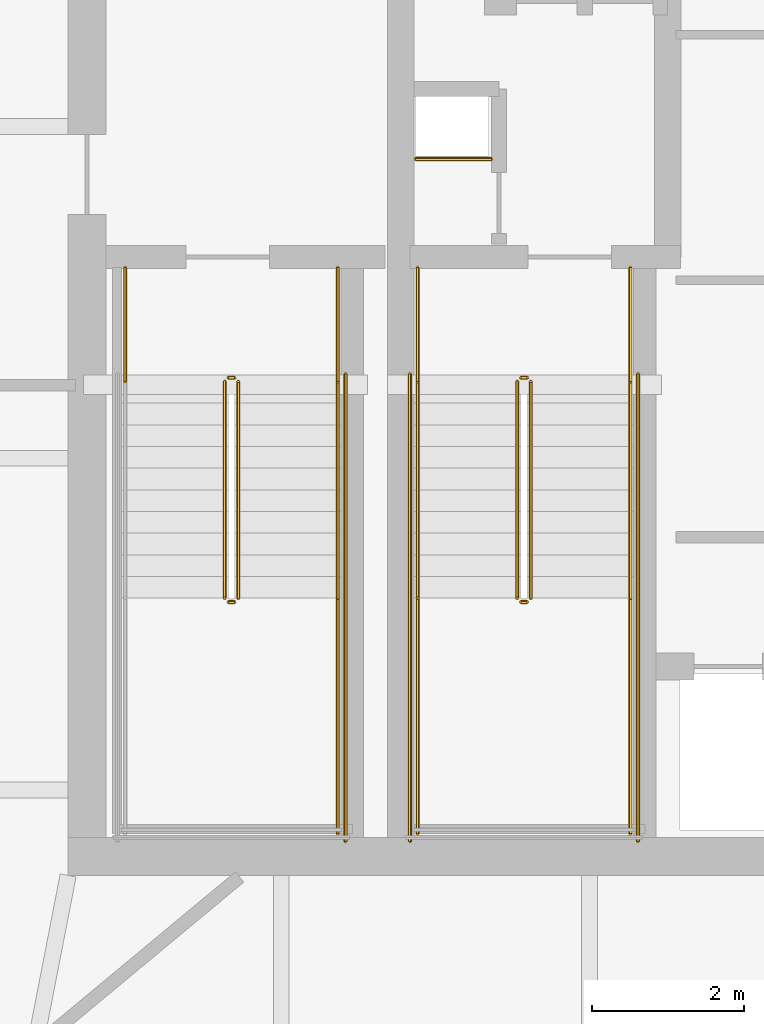
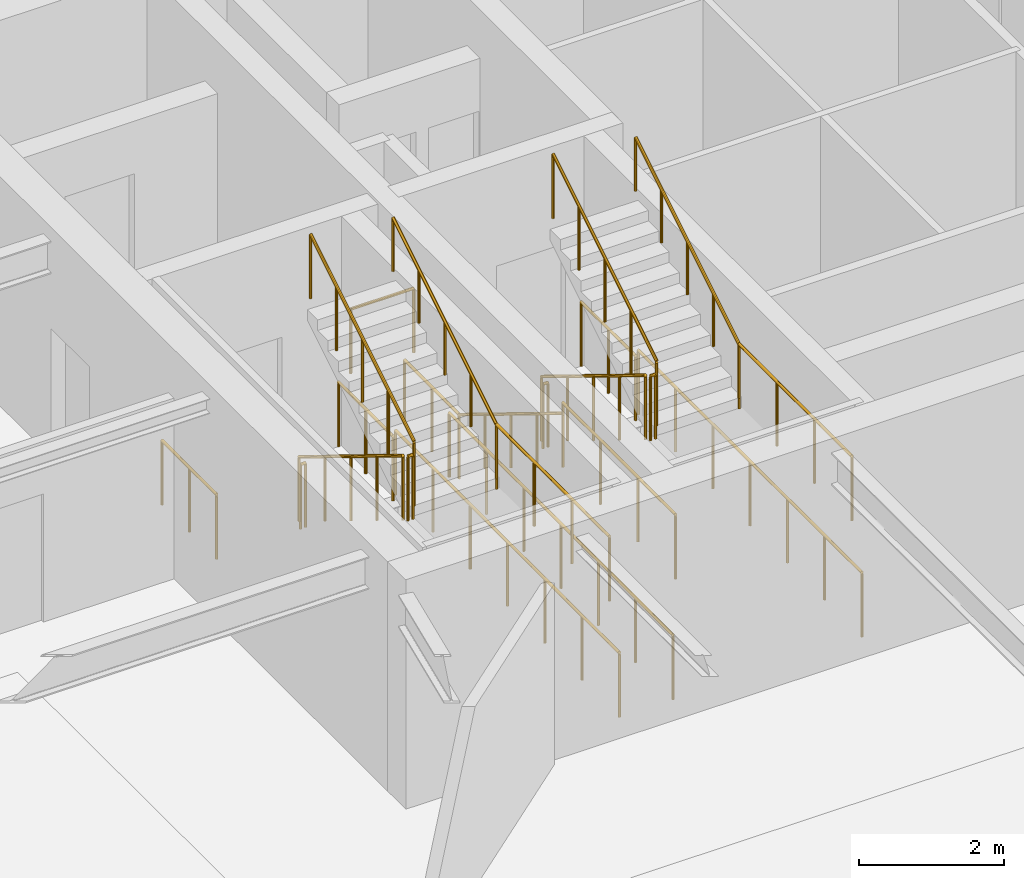
# One storey, part 18 of 20: 22 railings.
"""IFC4 building model written with IfcOpenShell, lengths in metres."""

from ifc_helpers import new_model, si_unit, direction, frame, origin, origin_2d, place, context, subcontext, project, spatial, circle, extrude, material, type_object, element, save


model = new_model("IFC4")

# Units and contexts
model_context = context("Model", 3, precision=1e-05, world=origin(), true_north=direction((0.0, 1.0)))
body_context = subcontext(model_context, "Body", "Model", "MODEL_VIEW")
ifc_project = project(units=[si_unit("LENGTHUNIT", "METRE"), si_unit("AREAUNIT", "SQUARE_METRE"), si_unit("VOLUMEUNIT", "CUBIC_METRE"), si_unit("PLANEANGLEUNIT", "RADIAN"), si_unit("MASSUNIT", "GRAM", prefix="KILO")], contexts=[model_context])

# Site, building, storey
site_placement = place(None, origin())
site = spatial("IfcSite", under=ifc_project, at=site_placement, CompositionType="ELEMENT")
building_placement = place(site_placement, origin())
building = spatial("IfcBuilding", under=site, at=building_placement, Name="Bramvorn Convention Spire", CompositionType="ELEMENT")
storey_placement = place(building_placement, frame((0.0, 0.0, 202.0)))
storey = spatial("IfcBuildingStorey", under=building, at=storey_placement, Name="L51", CompositionType="ELEMENT", Elevation=202.0)

# Railings
ifc_material_1 = material(Name="Painted Steel Balustrade & Guardrail", Category="steel")
railing_type_1 = type_object("IfcRailingType", Name="RL-STAIR-GUARD-1100", PredefinedType="GUARDRAIL", material=ifc_material_1)
railing_1_placement = place(storey_placement, frame((28.81005859375, 25.050048828125, 0.175048828125)))
element("IfcRailing", 1, at=railing_1_placement, inside=storey, type_object=railing_type_1, Name="L51 ST1 stair guard 1", PredefinedType="GUARDRAIL", context=body_context, shape_type="SweptSolid", body=[
    extrude(circle(Radius=0.02392578125, at=origin_2d()), frame((0.0, 0.0, 1.076171875), z_axis=(0.0, -0.852179220489, 0.52325001306), x_axis=(1.0, 0.0, 0.0)), (0.0, 0.0, 1.0), 3.344482421875),
    extrude(circle(Radius=0.02099609375, at=origin_2d()), origin(), (0.0, 0.0, 1.0), 1.052001953125),
    extrude(circle(Radius=0.02099609375, at=origin_2d()), frame((0.0, -0.71240234375, 0.4375)), (0.0, 0.0, 1.0), 1.052001953125),
    extrude(circle(Radius=0.02099609375, at=origin_2d()), frame((0.0, -1.425048828125, 0.875)), (0.0, 0.0, 1.0), 1.052001953125),
    extrude(circle(Radius=0.02099609375, at=origin_2d()), frame((0.0, -2.1376953125, 1.3125)), (0.0, 0.0, 1.0), 1.052001953125),
    extrude(circle(Radius=0.02099609375, at=origin_2d()), frame((0.0, -2.85009765625, 1.75)), (0.0, 0.0, 1.0), 1.052001953125),
])
railing_2_placement = place(storey_placement, frame((28.860107421875, 22.14990234375, 1.925048828125)))
element("IfcRailing", 2, at=railing_2_placement, inside=storey, type_object=railing_type_1, Name="L51 ST1 stair guard 2", PredefinedType="GUARDRAIL", context=body_context, shape_type="SweptSolid", body=[
    extrude(circle(Radius=0.02392578125, at=origin_2d()), frame((0.0, 0.0, 1.076171875), z_axis=(1.0, 0.0, 0.0), x_axis=(0.0, 1.0, 0.0)), (0.0, 0.0, 1.0), 0.079833984375),
    extrude(circle(Radius=0.02099609375, at=origin_2d()), origin(), (0.0, 0.0, 1.0), 1.052001953125),
    extrude(circle(Radius=0.02099609375, at=origin_2d()), frame((0.079833984375, 0.0, 0.0)), (0.0, 0.0, 1.0), 1.052001953125),
])
railing_3_placement = place(storey_placement, frame((30.300048828125, 22.199951171875, 1.925048828125)))
element("IfcRailing", 3, at=railing_3_placement, inside=storey, type_object=railing_type_1, Name="L51 ST1 stair guard 4", PredefinedType="GUARDRAIL", context=body_context, shape_type="SweptSolid", body=[
    extrude(circle(Radius=0.02392578125, at=origin_2d()), frame((0.0, 0.0, 1.076171875), z_axis=(0.0, -1.0, 0.0), x_axis=(1.0, 0.0, 0.0)), (0.0, 0.0, 1.0), 3.099853515625),
    extrude(circle(Radius=0.02099609375, at=origin_2d()), origin(), (0.0, 0.0, 1.0), 1.052001953125),
    extrude(circle(Radius=0.02099609375, at=origin_2d()), frame((0.0, -1.033203125, 0.0)), (0.0, 0.0, 1.0), 1.052001953125),
    extrude(circle(Radius=0.02099609375, at=origin_2d()), frame((0.0, -2.066650390625, 0.0)), (0.0, 0.0, 1.0), 1.052001953125),
    extrude(circle(Radius=0.02099609375, at=origin_2d()), frame((0.0, -3.099853515625, 0.0)), (0.0, 0.0, 1.0), 1.052001953125),
])
railing_4_placement = place(storey_placement, frame((28.989990234375, 22.199951171875, 2.10009765625)))
element("IfcRailing", 4, at=railing_4_placement, inside=storey, type_object=railing_type_1, Name="L51 ST1 stair guard 6", PredefinedType="GUARDRAIL", context=body_context, shape_type="SweptSolid", body=[
    extrude(circle(Radius=0.02392578125, at=origin_2d()), frame((0.0, 0.0, 1.076171875), z_axis=(0.0, 0.852179220489, 0.52325001306), x_axis=(-1.0, 0.0, 0.0)), (0.0, 0.0, 1.0), 3.344482421875),
    extrude(circle(Radius=0.02099609375, at=origin_2d()), origin(), (0.0, 0.0, 1.0), 1.052001953125),
    extrude(circle(Radius=0.02099609375, at=origin_2d()), frame((0.0, 0.71240234375, 0.4375)), (0.0, 0.0, 1.0), 1.052001953125),
    extrude(circle(Radius=0.02099609375, at=origin_2d()), frame((0.0, 1.425048828125, 0.875)), (0.0, 0.0, 1.0), 1.052001953125),
    extrude(circle(Radius=0.02099609375, at=origin_2d()), frame((0.0, 2.1376953125, 1.3125)), (0.0, 0.0, 1.0), 1.052001953125),
    extrude(circle(Radius=0.02099609375, at=origin_2d()), frame((0.0, 2.85009765625, 1.75)), (0.0, 0.0, 1.0), 1.052001953125),
])
railing_5_placement = place(storey_placement, frame((28.860107421875, 25.10009765625, 0.0)))
element("IfcRailing", 5, at=railing_5_placement, inside=storey, type_object=railing_type_1, Name="L51 ST1 stair guard 7", PredefinedType="GUARDRAIL", context=body_context, shape_type="SweptSolid", body=[
    extrude(circle(Radius=0.02392578125, at=origin_2d()), frame((0.0, 0.0, 1.076171875), z_axis=(1.0, 0.0, 0.0), x_axis=(0.0, 1.0, 0.0)), (0.0, 0.0, 1.0), 0.079833984375),
    extrude(circle(Radius=0.02099609375, at=origin_2d()), origin(), (0.0, 0.0, 1.0), 1.052001953125),
    extrude(circle(Radius=0.02099609375, at=origin_2d()), frame((0.079833984375, 0.0, 0.0)), (0.0, 0.0, 1.0), 1.052001953125),
])
for number, where, name in (
    (6, (27.5, 26.550048828125, 0.0), "L51 ST1 stair guard 8"),
    (7, (30.300048828125, 26.550048828125, 0.0), "L51 ST1 stair guard 9"),
):
    element("IfcRailing", number, at=place(storey_placement, frame(where)), inside=storey, type_object=railing_type_1, Name=name, PredefinedType="GUARDRAIL", context=body_context, shape_type="SweptSolid", body=[
        extrude(circle(Radius=0.02392578125, at=origin_2d()), frame((0.0, 0.0, 1.076171875), z_axis=(0.0, -1.0, 0.0), x_axis=(1.0, 0.0, 0.0)), (0.0, 0.0, 1.0), 1.5),
        extrude(circle(Radius=0.02099609375, at=origin_2d()), origin(), (0.0, 0.0, 1.0), 1.052001953125),
        extrude(circle(Radius=0.02099609375, at=origin_2d()), frame((0.0, -0.75, 0.0)), (0.0, 0.0, 1.0), 1.052001953125),
        extrude(circle(Radius=0.02099609375, at=origin_2d()), frame((0.0, -1.5, 0.0)), (0.0, 0.0, 1.0), 1.052001953125),
    ])
railing_6_placement = place(storey_placement, frame((30.39990234375, 25.14990234375, 0.0)))
element("IfcRailing", 8, at=railing_6_placement, inside=storey, type_object=railing_type_1, Name="L51 ST1 stair guard 11", PredefinedType="GUARDRAIL", context=body_context, shape_type="SweptSolid", body=[
    extrude(circle(Radius=0.02392578125, at=origin_2d()), frame((0.0, 0.0, 1.076171875), z_axis=(0.0, -1.0, 0.0), x_axis=(1.0, 0.0, 0.0)), (0.0, 0.0, 1.0), 6.14990234375),
    extrude(circle(Radius=0.02099609375, at=origin_2d()), origin(), (0.0, 0.0, 1.0), 1.052001953125),
    extrude(circle(Radius=0.02099609375, at=origin_2d()), frame((0.0, -1.02490234375, 0.0)), (0.0, 0.0, 1.0), 1.052001953125),
    extrude(circle(Radius=0.02099609375, at=origin_2d()), frame((0.0, -2.050048828125, 0.0)), (0.0, 0.0, 1.0), 1.052001953125),
    extrude(circle(Radius=0.02099609375, at=origin_2d()), frame((0.0, -3.074951171875, 0.0)), (0.0, 0.0, 1.0), 1.052001953125),
    extrude(circle(Radius=0.02099609375, at=origin_2d()), frame((0.0, -4.099853515625, 0.0)), (0.0, 0.0, 1.0), 1.052001953125),
    extrude(circle(Radius=0.02099609375, at=origin_2d()), frame((0.0, -5.125, 0.0)), (0.0, 0.0, 1.0), 1.052001953125),
    extrude(circle(Radius=0.02099609375, at=origin_2d()), frame((0.0, -6.14990234375, 0.0)), (0.0, 0.0, 1.0), 1.052001953125),
])
railing_7_placement = place(storey_placement, frame((32.659912109375, 25.050048828125, 0.175048828125)))
element("IfcRailing", 9, at=railing_7_placement, inside=storey, type_object=railing_type_1, Name="L51 ST3 stair guard 1", PredefinedType="GUARDRAIL", context=body_context, shape_type="SweptSolid", body=[
    extrude(circle(Radius=0.02392578125, at=origin_2d()), frame((0.0, 0.0, 1.076171875), z_axis=(0.0, -0.852179220489, 0.52325001306), x_axis=(1.0, 0.0, 0.0)), (0.0, 0.0, 1.0), 3.344482421875),
    extrude(circle(Radius=0.02099609375, at=origin_2d()), origin(), (0.0, 0.0, 1.0), 1.052001953125),
    extrude(circle(Radius=0.02099609375, at=origin_2d()), frame((0.0, -0.71240234375, 0.4375)), (0.0, 0.0, 1.0), 1.052001953125),
    extrude(circle(Radius=0.02099609375, at=origin_2d()), frame((0.0, -1.425048828125, 0.875)), (0.0, 0.0, 1.0), 1.052001953125),
    extrude(circle(Radius=0.02099609375, at=origin_2d()), frame((0.0, -2.1376953125, 1.3125)), (0.0, 0.0, 1.0), 1.052001953125),
    extrude(circle(Radius=0.02099609375, at=origin_2d()), frame((0.0, -2.85009765625, 1.75)), (0.0, 0.0, 1.0), 1.052001953125),
])
railing_8_placement = place(storey_placement, frame((32.7099609375, 22.14990234375, 1.925048828125)))
element("IfcRailing", 10, at=railing_8_placement, inside=storey, type_object=railing_type_1, Name="L51 ST3 stair guard 2", PredefinedType="GUARDRAIL", context=body_context, shape_type="SweptSolid", body=[
    extrude(circle(Radius=0.02392578125, at=origin_2d()), frame((0.0, 0.0, 1.076171875), z_axis=(1.0, 0.0, 0.0), x_axis=(0.0, 1.0, 0.0)), (0.0, 0.0, 1.0), 0.080078125),
    extrude(circle(Radius=0.02099609375, at=origin_2d()), origin(), (0.0, 0.0, 1.0), 1.052001953125),
    extrude(circle(Radius=0.02099609375, at=origin_2d()), frame((0.080078125, 0.0, 0.0)), (0.0, 0.0, 1.0), 1.052001953125),
])
for number, where, name in (
    (11, (31.35009765625, 22.199951171875, 1.925048828125), "L51 ST3 stair guard 3"),
    (12, (34.14990234375, 22.199951171875, 1.925048828125), "L51 ST3 stair guard 4"),
):
    element("IfcRailing", number, at=place(storey_placement, frame(where)), inside=storey, type_object=railing_type_1, Name=name, PredefinedType="GUARDRAIL", context=body_context, shape_type="SweptSolid", body=[
        extrude(circle(Radius=0.02392578125, at=origin_2d()), frame((0.0, 0.0, 1.076171875), z_axis=(0.0, -1.0, 0.0), x_axis=(1.0, 0.0, 0.0)), (0.0, 0.0, 1.0), 3.099853515625),
        extrude(circle(Radius=0.02099609375, at=origin_2d()), origin(), (0.0, 0.0, 1.0), 1.052001953125),
        extrude(circle(Radius=0.02099609375, at=origin_2d()), frame((0.0, -1.033203125, 0.0)), (0.0, 0.0, 1.0), 1.052001953125),
        extrude(circle(Radius=0.02099609375, at=origin_2d()), frame((0.0, -2.066650390625, 0.0)), (0.0, 0.0, 1.0), 1.052001953125),
        extrude(circle(Radius=0.02099609375, at=origin_2d()), frame((0.0, -3.099853515625, 0.0)), (0.0, 0.0, 1.0), 1.052001953125),
    ])
railing_9_placement = place(storey_placement, frame((32.840087890625, 22.199951171875, 2.10009765625)))
element("IfcRailing", 13, at=railing_9_placement, inside=storey, type_object=railing_type_1, Name="L51 ST3 stair guard 6", PredefinedType="GUARDRAIL", context=body_context, shape_type="SweptSolid", body=[
    extrude(circle(Radius=0.02392578125, at=origin_2d()), frame((0.0, 0.0, 1.076171875), z_axis=(0.0, 0.852179220489, 0.52325001306), x_axis=(-1.0, 0.0, 0.0)), (0.0, 0.0, 1.0), 3.344482421875),
    extrude(circle(Radius=0.02099609375, at=origin_2d()), origin(), (0.0, 0.0, 1.0), 1.052001953125),
    extrude(circle(Radius=0.02099609375, at=origin_2d()), frame((0.0, 0.71240234375, 0.4375)), (0.0, 0.0, 1.0), 1.052001953125),
    extrude(circle(Radius=0.02099609375, at=origin_2d()), frame((0.0, 1.425048828125, 0.875)), (0.0, 0.0, 1.0), 1.052001953125),
    extrude(circle(Radius=0.02099609375, at=origin_2d()), frame((0.0, 2.1376953125, 1.3125)), (0.0, 0.0, 1.0), 1.052001953125),
    extrude(circle(Radius=0.02099609375, at=origin_2d()), frame((0.0, 2.85009765625, 1.75)), (0.0, 0.0, 1.0), 1.052001953125),
])
railing_10_placement = place(storey_placement, frame((32.7099609375, 25.10009765625, 0.0)))
element("IfcRailing", 14, at=railing_10_placement, inside=storey, type_object=railing_type_1, Name="L51 ST3 stair guard 7", PredefinedType="GUARDRAIL", context=body_context, shape_type="SweptSolid", body=[
    extrude(circle(Radius=0.02392578125, at=origin_2d()), frame((0.0, 0.0, 1.076171875), z_axis=(1.0, 0.0, 0.0), x_axis=(0.0, 1.0, 0.0)), (0.0, 0.0, 1.0), 0.080078125),
    extrude(circle(Radius=0.02099609375, at=origin_2d()), origin(), (0.0, 0.0, 1.0), 1.052001953125),
    extrude(circle(Radius=0.02099609375, at=origin_2d()), frame((0.080078125, 0.0, 0.0)), (0.0, 0.0, 1.0), 1.052001953125),
])
for number, where, name in (
    (15, (31.35009765625, 26.550048828125, 0.0), "L51 ST3 stair guard 8"),
    (16, (34.14990234375, 26.550048828125, 0.0), "L51 ST3 stair guard 9"),
):
    element("IfcRailing", number, at=place(storey_placement, frame(where)), inside=storey, type_object=railing_type_1, Name=name, PredefinedType="GUARDRAIL", context=body_context, shape_type="SweptSolid", body=[
        extrude(circle(Radius=0.02392578125, at=origin_2d()), frame((0.0, 0.0, 1.076171875), z_axis=(0.0, -1.0, 0.0), x_axis=(1.0, 0.0, 0.0)), (0.0, 0.0, 1.0), 1.5),
        extrude(circle(Radius=0.02099609375, at=origin_2d()), origin(), (0.0, 0.0, 1.0), 1.052001953125),
        extrude(circle(Radius=0.02099609375, at=origin_2d()), frame((0.0, -0.75, 0.0)), (0.0, 0.0, 1.0), 1.052001953125),
        extrude(circle(Radius=0.02099609375, at=origin_2d()), frame((0.0, -1.5, 0.0)), (0.0, 0.0, 1.0), 1.052001953125),
    ])
for number, where, name in (
    (17, (31.25, 25.14990234375, 0.0), "L51 ST3 stair guard 10"),
    (18, (34.25, 25.14990234375, 0.0), "L51 ST3 stair guard 11"),
):
    element("IfcRailing", number, at=place(storey_placement, frame(where)), inside=storey, type_object=railing_type_1, Name=name, PredefinedType="GUARDRAIL", context=body_context, shape_type="SweptSolid", body=[
        extrude(circle(Radius=0.02392578125, at=origin_2d()), frame((0.0, 0.0, 1.076171875), z_axis=(0.0, -1.0, 0.0), x_axis=(1.0, 0.0, 0.0)), (0.0, 0.0, 1.0), 6.14990234375),
        extrude(circle(Radius=0.02099609375, at=origin_2d()), origin(), (0.0, 0.0, 1.0), 1.052001953125),
        extrude(circle(Radius=0.02099609375, at=origin_2d()), frame((0.0, -1.02490234375, 0.0)), (0.0, 0.0, 1.0), 1.052001953125),
        extrude(circle(Radius=0.02099609375, at=origin_2d()), frame((0.0, -2.050048828125, 0.0)), (0.0, 0.0, 1.0), 1.052001953125),
        extrude(circle(Radius=0.02099609375, at=origin_2d()), frame((0.0, -3.074951171875, 0.0)), (0.0, 0.0, 1.0), 1.052001953125),
        extrude(circle(Radius=0.02099609375, at=origin_2d()), frame((0.0, -4.099853515625, 0.0)), (0.0, 0.0, 1.0), 1.052001953125),
        extrude(circle(Radius=0.02099609375, at=origin_2d()), frame((0.0, -5.125, 0.0)), (0.0, 0.0, 1.0), 1.052001953125),
        extrude(circle(Radius=0.02099609375, at=origin_2d()), frame((0.0, -6.14990234375, 0.0)), (0.0, 0.0, 1.0), 1.052001953125),
    ])
railing_11_placement = place(storey_placement, frame((31.320068359375, 27.97998046875, 0.0)))
element("IfcRailing", 19, at=railing_11_placement, inside=storey, type_object=railing_type_1, Name="L51 Telecom riser shaft opening safety guardrail", PredefinedType="GUARDRAIL", context=body_context, shape_type="SweptSolid", body=[
    extrude(circle(Radius=0.02392578125, at=origin_2d()), frame((0.0, 0.0, 1.076171875), z_axis=(1.0, 0.0, 0.0), x_axis=(0.0, 1.0, 0.0)), (0.0, 0.0, 1.0), 1.0),
    extrude(circle(Radius=0.02099609375, at=origin_2d()), origin(), (0.0, 0.0, 1.0), 1.052001953125),
    extrude(circle(Radius=0.02099609375, at=origin_2d()), frame((1.0, 0.0, 0.0)), (0.0, 0.0, 1.0), 1.052001953125),
])
ifc_material_2 = material(Name="Brushed Bronze Tubular Handrail", Category="aluminium")
railing_type_2 = type_object("IfcRailingType", Name="RL-STAIR-HR-920", PredefinedType="HANDRAIL", material=ifc_material_2)
railing_12_placement = place(storey_placement, frame((30.300048828125, 22.199951171875, 2.10009765625)))
element("IfcRailing", 20, at=railing_12_placement, inside=storey, type_object=railing_type_2, Name="L51 ST1 stair handrail 2", PredefinedType="HANDRAIL", context=body_context, shape_type="SweptSolid", body=[
    extrude(circle(Radius=0.02392578125, at=origin_2d()), frame((0.0, 0.0, 0.89599609375), z_axis=(0.0, 0.852179220489, 0.52325001306), x_axis=(-1.0, 0.0, 0.0)), (0.0, 0.0, 1.0), 3.344482421875),
    extrude(circle(Radius=0.02099609375, at=origin_2d()), origin(), (0.0, 0.0, 1.0), 0.871826171875),
    extrude(circle(Radius=0.02099609375, at=origin_2d()), frame((0.0, 0.71240234375, 0.4375)), (0.0, 0.0, 1.0), 0.871826171875),
    extrude(circle(Radius=0.02099609375, at=origin_2d()), frame((0.0, 1.425048828125, 0.875)), (0.0, 0.0, 1.0), 0.871826171875),
    extrude(circle(Radius=0.02099609375, at=origin_2d()), frame((0.0, 2.1376953125, 1.3125)), (0.0, 0.0, 1.0), 0.871826171875),
    extrude(circle(Radius=0.02099609375, at=origin_2d()), frame((0.0, 2.85009765625, 1.75)), (0.0, 0.0, 1.0), 0.871826171875),
])
railing_13_placement = place(storey_placement, frame((31.35009765625, 25.050048828125, 0.175048828125)))
element("IfcRailing", 21, at=railing_13_placement, inside=storey, type_object=railing_type_2, Name="L51 ST3 stair handrail 1", PredefinedType="HANDRAIL", context=body_context, shape_type="SweptSolid", body=[
    extrude(circle(Radius=0.02392578125, at=origin_2d()), frame((0.0, 0.0, 0.89599609375), z_axis=(0.0, -0.852179220489, 0.52325001306), x_axis=(1.0, 0.0, 0.0)), (0.0, 0.0, 1.0), 3.344482421875),
    extrude(circle(Radius=0.02099609375, at=origin_2d()), origin(), (0.0, 0.0, 1.0), 0.871826171875),
    extrude(circle(Radius=0.02099609375, at=origin_2d()), frame((0.0, -0.71240234375, 0.4375)), (0.0, 0.0, 1.0), 0.871826171875),
    extrude(circle(Radius=0.02099609375, at=origin_2d()), frame((0.0, -1.425048828125, 0.875)), (0.0, 0.0, 1.0), 0.871826171875),
    extrude(circle(Radius=0.02099609375, at=origin_2d()), frame((0.0, -2.1376953125, 1.3125)), (0.0, 0.0, 1.0), 0.871826171875),
    extrude(circle(Radius=0.02099609375, at=origin_2d()), frame((0.0, -2.85009765625, 1.75)), (0.0, 0.0, 1.0), 0.871826171875),
])
railing_14_placement = place(storey_placement, frame((34.14990234375, 22.199951171875, 2.10009765625)))
element("IfcRailing", 22, at=railing_14_placement, inside=storey, type_object=railing_type_2, Name="L51 ST3 stair handrail 2", PredefinedType="HANDRAIL", context=body_context, shape_type="SweptSolid", body=[
    extrude(circle(Radius=0.02392578125, at=origin_2d()), frame((0.0, 0.0, 0.89599609375), z_axis=(0.0, 0.852179220489, 0.52325001306), x_axis=(-1.0, 0.0, 0.0)), (0.0, 0.0, 1.0), 3.344482421875),
    extrude(circle(Radius=0.02099609375, at=origin_2d()), origin(), (0.0, 0.0, 1.0), 0.871826171875),
    extrude(circle(Radius=0.02099609375, at=origin_2d()), frame((0.0, 0.71240234375, 0.4375)), (0.0, 0.0, 1.0), 0.871826171875),
    extrude(circle(Radius=0.02099609375, at=origin_2d()), frame((0.0, 1.425048828125, 0.875)), (0.0, 0.0, 1.0), 0.871826171875),
    extrude(circle(Radius=0.02099609375, at=origin_2d()), frame((0.0, 2.1376953125, 1.3125)), (0.0, 0.0, 1.0), 0.871826171875),
    extrude(circle(Radius=0.02099609375, at=origin_2d()), frame((0.0, 2.85009765625, 1.75)), (0.0, 0.0, 1.0), 0.871826171875),
])

save(model, "model.ifc")
